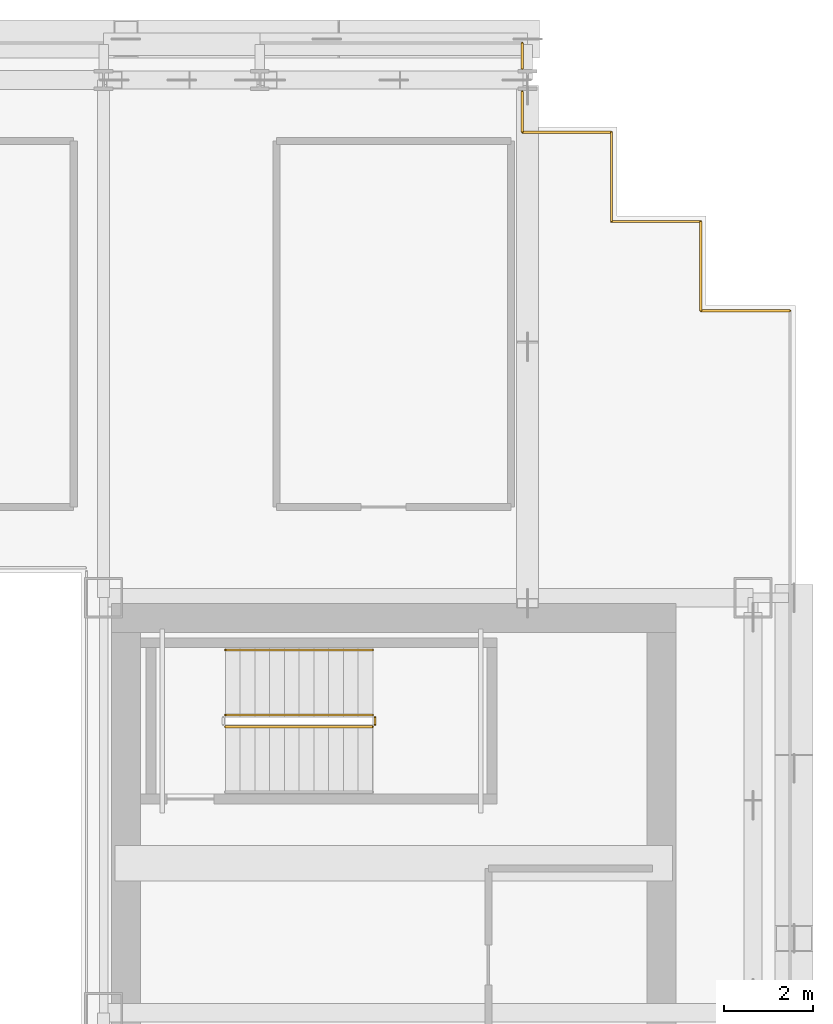
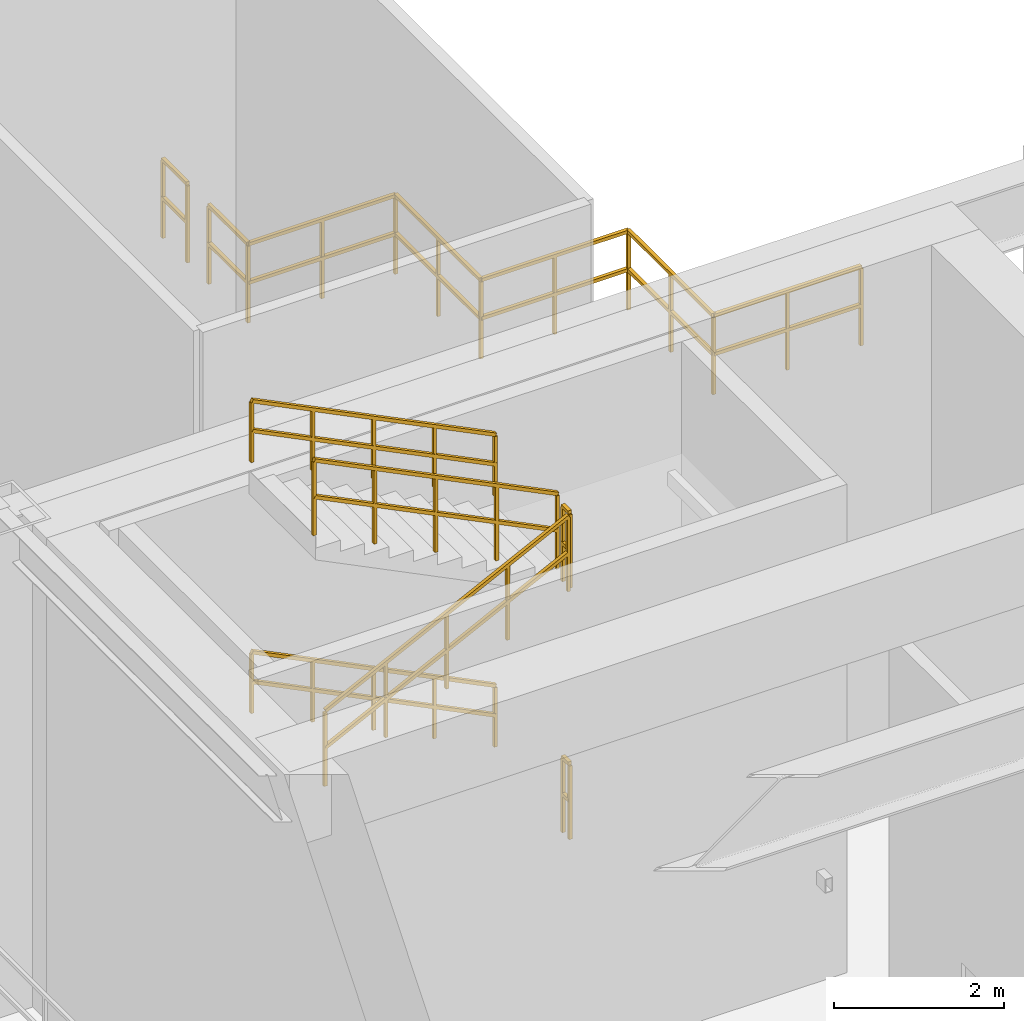
# One storey, part 14 of 14: 13 railings.
"""IFC4 building model written with IfcOpenShell, lengths in metres."""

from ifc_helpers import new_model, si_unit, direction, frame, origin, origin_2d, place, context, subcontext, project, spatial, rectangle, extrude, material, type_object, element, save


model = new_model("IFC4")

# Units and contexts
model_context = context("Model", 3, precision=1e-05, world=origin(), true_north=direction((0.0, 1.0)))
body_context = subcontext(model_context, "Body", "Model", "MODEL_VIEW")
ifc_project = project(units=[si_unit("LENGTHUNIT", "METRE"), si_unit("AREAUNIT", "SQUARE_METRE"), si_unit("VOLUMEUNIT", "CUBIC_METRE"), si_unit("PLANEANGLEUNIT", "RADIAN"), si_unit("MASSUNIT", "GRAM", prefix="KILO")], contexts=[model_context])

# Site, building, storey
site_placement = place(None, origin())
site = spatial("IfcSite", under=ifc_project, at=site_placement, CompositionType="ELEMENT")
building_placement = place(site_placement, origin())
building = spatial("IfcBuilding", under=site, at=building_placement, Name="Ocotamira Hotel", CompositionType="ELEMENT")
storey_placement = place(building_placement, frame((0.0, 0.0, 85.199951171875)))
storey = spatial("IfcBuildingStorey", under=building, at=storey_placement, Name="L21", CompositionType="ELEMENT", Elevation=85.199951171875)

# Railings
ifc_material_1 = material(Name="Brushed stainless steel handrail", Category="steel")
railing_type_1 = type_object("IfcRailingType", Name="RL-HAND-900", PredefinedType="HANDRAIL", material=ifc_material_1)
railing_1_placement = place(storey_placement, frame((46.530029296875, 36.280029296875, 2.12744140625)))
element("IfcRailing", 1, at=railing_1_placement, inside=storey, type_object=railing_type_1, Name="L21 ST-4 stair handrail 2", PredefinedType="HANDRAIL", context=body_context, shape_type="SweptSolid", body=[
    extrude(rectangle(XDim=0.048095703125, YDim=0.048095703125, at=origin_2d()), frame((0.0, 0.0, 0.8759765625), z_axis=(-0.895920123917, 0.0, 0.444215186098), x_axis=(0.0, -1.0, 0.0)), (0.0, 0.0, 1.0), 3.683349609375),
    extrude(rectangle(XDim=0.048095703125, YDim=0.048095703125, at=origin_2d()), frame((0.0, 0.0, 0.449951171875), z_axis=(-0.895920123917, 0.0, 0.444215186098), x_axis=(0.0, -1.0, 0.0)), (0.0, 0.0, 1.0), 3.683349609375),
    extrude(rectangle(XDim=0.0419921875, YDim=0.0419921875, at=origin_2d()), origin(), (0.0, 0.0, 1.0), 0.851806640625),
    extrude(rectangle(XDim=0.0419921875, YDim=0.0419921875, at=origin_2d()), frame((-0.824951171875, 0.0, 0.4091796875)), (0.0, 0.0, 1.0), 0.851806640625),
    extrude(rectangle(XDim=0.0419921875, YDim=0.0419921875, at=origin_2d()), frame((-1.64990234375, 0.0, 0.818115234375)), (0.0, 0.0, 1.0), 0.851806640625),
    extrude(rectangle(XDim=0.0419921875, YDim=0.0419921875, at=origin_2d()), frame((-2.47509765625, 0.0, 1.22705078125)), (0.0, 0.0, 1.0), 0.851806640625),
    extrude(rectangle(XDim=0.0419921875, YDim=0.0419921875, at=origin_2d()), frame((-3.300048828125, 0.0, 1.63623046875)), (0.0, 0.0, 1.0), 0.851806640625),
])
railing_2_placement = place(storey_placement, frame((46.530029296875, 36.280029296875, 5.727294921875)))
element("IfcRailing", 2, at=railing_2_placement, inside=storey, type_object=railing_type_1, Name="L21 ST-4 stair handrail 4", PredefinedType="HANDRAIL", context=body_context, shape_type="SweptSolid", body=[
    extrude(rectangle(XDim=0.048095703125, YDim=0.048095703125, at=origin_2d()), frame((0.0, 0.0, 0.8759765625), z_axis=(-0.895893744519, 0.0, 0.4442683857), x_axis=(0.0, -1.0, 0.0)), (0.0, 0.0, 1.0), 3.68359375),
    extrude(rectangle(XDim=0.048095703125, YDim=0.048095703125, at=origin_2d()), frame((0.0, 0.0, 0.449951171875), z_axis=(-0.895893744519, 0.0, 0.4442683857), x_axis=(0.0, -1.0, 0.0)), (0.0, 0.0, 1.0), 3.68359375),
    extrude(rectangle(XDim=0.0419921875, YDim=0.0419921875, at=origin_2d()), origin(), (0.0, 0.0, 1.0), 0.851806640625),
    extrude(rectangle(XDim=0.0419921875, YDim=0.0419921875, at=origin_2d()), frame((-0.824951171875, 0.0, 0.4091796875)), (0.0, 0.0, 1.0), 0.851806640625),
    extrude(rectangle(XDim=0.0419921875, YDim=0.0419921875, at=origin_2d()), frame((-1.64990234375, 0.0, 0.818359375)), (0.0, 0.0, 1.0), 0.851806640625),
    extrude(rectangle(XDim=0.0419921875, YDim=0.0419921875, at=origin_2d()), frame((-2.47509765625, 0.0, 1.227294921875)), (0.0, 0.0, 1.0), 0.851806640625),
    extrude(rectangle(XDim=0.0419921875, YDim=0.0419921875, at=origin_2d()), frame((-3.300048828125, 0.0, 1.636474609375)), (0.0, 0.0, 1.0), 0.851806640625),
])
ifc_material_2 = material(Name="Pale-metal stainless steel guardrail", Category="steel")
railing_type_2 = type_object("IfcRailingType", Name="RL-PERIM-1150", PredefinedType="GUARDRAIL", material=ifc_material_2)
railing_3_placement = place(storey_placement, frame((49.8798828125, 49.8798828125, 0.0)))
element("IfcRailing", 3, at=railing_3_placement, inside=storey, type_object=railing_type_2, Name="L21 Perimeter Guardrail WSLOT1-17", PredefinedType="GUARDRAIL", context=body_context, shape_type="SweptSolid", body=[
    extrude(rectangle(XDim=0.048095703125, YDim=0.048095703125, at=origin_2d()), frame((0.0, 0.0, 1.1259765625), z_axis=(0.0, -1.0, 0.0), x_axis=(1.0, 0.0, 0.0)), (0.0, 0.0, 1.0), 0.577392578125),
    extrude(rectangle(XDim=0.048095703125, YDim=0.048095703125, at=origin_2d()), frame((0.0, 0.0, 0.574951171875), z_axis=(0.0, -1.0, 0.0), x_axis=(1.0, 0.0, 0.0)), (0.0, 0.0, 1.0), 0.577392578125),
    extrude(rectangle(XDim=0.0419921875, YDim=0.0419921875, at=origin_2d()), origin(), (0.0, 0.0, 1.0), 1.101806640625),
    extrude(rectangle(XDim=0.0419921875, YDim=0.0419921875, at=origin_2d()), frame((0.0, -0.577392578125, 0.0)), (0.0, 0.0, 1.0), 1.101806640625),
])
railing_4_placement = place(storey_placement, frame((49.8798828125, 48.797607421875, 0.0)))
element("IfcRailing", 4, at=railing_4_placement, inside=storey, type_object=railing_type_2, Name="L21 Perimeter Guardrail WSLOT1-18", PredefinedType="GUARDRAIL", context=body_context, shape_type="SweptSolid", body=[
    extrude(rectangle(XDim=0.048095703125, YDim=0.048095703125, at=origin_2d()), frame((0.0, 0.0, 1.1259765625), z_axis=(0.0, -1.0, 0.0), x_axis=(1.0, 0.0, 0.0)), (0.0, 0.0, 1.0), 0.917724609375),
    extrude(rectangle(XDim=0.048095703125, YDim=0.048095703125, at=origin_2d()), frame((0.0, 0.0, 0.574951171875), z_axis=(0.0, -1.0, 0.0), x_axis=(1.0, 0.0, 0.0)), (0.0, 0.0, 1.0), 0.917724609375),
    extrude(rectangle(XDim=0.0419921875, YDim=0.0419921875, at=origin_2d()), origin(), (0.0, 0.0, 1.0), 1.101806640625),
    extrude(rectangle(XDim=0.0419921875, YDim=0.0419921875, at=origin_2d()), frame((0.0, -0.917724609375, 0.0)), (0.0, 0.0, 1.0), 1.101806640625),
])
railing_5_placement = place(storey_placement, frame((49.8798828125, 47.8798828125, 0.0)))
element("IfcRailing", 5, at=railing_5_placement, inside=storey, type_object=railing_type_2, Name="L21 Perimeter Guardrail WSLOT1-19", PredefinedType="GUARDRAIL", context=body_context, shape_type="SweptSolid", body=[
    extrude(rectangle(XDim=0.048095703125, YDim=0.048095703125, at=origin_2d()), frame((0.0, 0.0, 1.1259765625), z_axis=(1.0, 0.0, 0.0), x_axis=(0.0, 1.0, 0.0)), (0.0, 0.0, 1.0), 2.0),
    extrude(rectangle(XDim=0.048095703125, YDim=0.048095703125, at=origin_2d()), frame((0.0, 0.0, 0.574951171875), z_axis=(1.0, 0.0, 0.0), x_axis=(0.0, 1.0, 0.0)), (0.0, 0.0, 1.0), 2.0),
    extrude(rectangle(XDim=0.0419921875, YDim=0.0419921875, at=origin_2d()), origin(), (0.0, 0.0, 1.0), 1.101806640625),
    extrude(rectangle(XDim=0.0419921875, YDim=0.0419921875, at=origin_2d()), frame((1.0, 0.0, 0.0)), (0.0, 0.0, 1.0), 1.101806640625),
    extrude(rectangle(XDim=0.0419921875, YDim=0.0419921875, at=origin_2d()), frame((2.0, 0.0, 0.0)), (0.0, 0.0, 1.0), 1.101806640625),
])
railing_6_placement = place(storey_placement, frame((51.8798828125, 47.8798828125, 0.0)))
element("IfcRailing", 6, at=railing_6_placement, inside=storey, type_object=railing_type_2, Name="L21 Perimeter Guardrail WSLOT1-20", PredefinedType="GUARDRAIL", context=body_context, shape_type="SweptSolid", body=[
    extrude(rectangle(XDim=0.048095703125, YDim=0.048095703125, at=origin_2d()), frame((0.0, 0.0, 1.1259765625), z_axis=(0.0, -1.0, 0.0), x_axis=(1.0, 0.0, 0.0)), (0.0, 0.0, 1.0), 2.0),
    extrude(rectangle(XDim=0.048095703125, YDim=0.048095703125, at=origin_2d()), frame((0.0, 0.0, 0.574951171875), z_axis=(0.0, -1.0, 0.0), x_axis=(1.0, 0.0, 0.0)), (0.0, 0.0, 1.0), 2.0),
    extrude(rectangle(XDim=0.0419921875, YDim=0.0419921875, at=origin_2d()), origin(), (0.0, 0.0, 1.0), 1.101806640625),
    extrude(rectangle(XDim=0.0419921875, YDim=0.0419921875, at=origin_2d()), frame((0.0, -1.0, 0.0)), (0.0, 0.0, 1.0), 1.101806640625),
    extrude(rectangle(XDim=0.0419921875, YDim=0.0419921875, at=origin_2d()), frame((0.0, -2.0, 0.0)), (0.0, 0.0, 1.0), 1.101806640625),
])
railing_7_placement = place(storey_placement, frame((51.8798828125, 45.8798828125, 0.0)))
element("IfcRailing", 7, at=railing_7_placement, inside=storey, type_object=railing_type_2, Name="L21 Perimeter Guardrail WSLOT1-21", PredefinedType="GUARDRAIL", context=body_context, shape_type="SweptSolid", body=[
    extrude(rectangle(XDim=0.048095703125, YDim=0.048095703125, at=origin_2d()), frame((0.0, 0.0, 1.1259765625), z_axis=(1.0, 0.0, 0.0), x_axis=(0.0, 1.0, 0.0)), (0.0, 0.0, 1.0), 2.0),
    extrude(rectangle(XDim=0.048095703125, YDim=0.048095703125, at=origin_2d()), frame((0.0, 0.0, 0.574951171875), z_axis=(1.0, 0.0, 0.0), x_axis=(0.0, 1.0, 0.0)), (0.0, 0.0, 1.0), 2.0),
    extrude(rectangle(XDim=0.0419921875, YDim=0.0419921875, at=origin_2d()), origin(), (0.0, 0.0, 1.0), 1.101806640625),
    extrude(rectangle(XDim=0.0419921875, YDim=0.0419921875, at=origin_2d()), frame((1.0, 0.0, 0.0)), (0.0, 0.0, 1.0), 1.101806640625),
    extrude(rectangle(XDim=0.0419921875, YDim=0.0419921875, at=origin_2d()), frame((2.0, 0.0, 0.0)), (0.0, 0.0, 1.0), 1.101806640625),
])
railing_8_placement = place(storey_placement, frame((53.8798828125, 45.8798828125, 0.0)))
element("IfcRailing", 8, at=railing_8_placement, inside=storey, type_object=railing_type_2, Name="L21 Perimeter Guardrail WSLOT1-22", PredefinedType="GUARDRAIL", context=body_context, shape_type="SweptSolid", body=[
    extrude(rectangle(XDim=0.048095703125, YDim=0.048095703125, at=origin_2d()), frame((0.0, 0.0, 1.1259765625), z_axis=(0.0, -1.0, 0.0), x_axis=(1.0, 0.0, 0.0)), (0.0, 0.0, 1.0), 2.0),
    extrude(rectangle(XDim=0.048095703125, YDim=0.048095703125, at=origin_2d()), frame((0.0, 0.0, 0.574951171875), z_axis=(0.0, -1.0, 0.0), x_axis=(1.0, 0.0, 0.0)), (0.0, 0.0, 1.0), 2.0),
    extrude(rectangle(XDim=0.0419921875, YDim=0.0419921875, at=origin_2d()), origin(), (0.0, 0.0, 1.0), 1.101806640625),
    extrude(rectangle(XDim=0.0419921875, YDim=0.0419921875, at=origin_2d()), frame((0.0, -1.0, 0.0)), (0.0, 0.0, 1.0), 1.101806640625),
    extrude(rectangle(XDim=0.0419921875, YDim=0.0419921875, at=origin_2d()), frame((0.0, -2.0, 0.0)), (0.0, 0.0, 1.0), 1.101806640625),
])
railing_9_placement = place(storey_placement, frame((53.8798828125, 43.8798828125, 0.0)))
element("IfcRailing", 9, at=railing_9_placement, inside=storey, type_object=railing_type_2, Name="L21 Perimeter Guardrail WSLOT1-23", PredefinedType="GUARDRAIL", context=body_context, shape_type="SweptSolid", body=[
    extrude(rectangle(XDim=0.048095703125, YDim=0.048095703125, at=origin_2d()), frame((0.0, 0.0, 1.1259765625), z_axis=(1.0, 0.0, 0.0), x_axis=(0.0, 1.0, 0.0)), (0.0, 0.0, 1.0), 2.0),
    extrude(rectangle(XDim=0.048095703125, YDim=0.048095703125, at=origin_2d()), frame((0.0, 0.0, 0.574951171875), z_axis=(1.0, 0.0, 0.0), x_axis=(0.0, 1.0, 0.0)), (0.0, 0.0, 1.0), 2.0),
    extrude(rectangle(XDim=0.0419921875, YDim=0.0419921875, at=origin_2d()), origin(), (0.0, 0.0, 1.0), 1.101806640625),
    extrude(rectangle(XDim=0.0419921875, YDim=0.0419921875, at=origin_2d()), frame((1.0, 0.0, 0.0)), (0.0, 0.0, 1.0), 1.101806640625),
    extrude(rectangle(XDim=0.0419921875, YDim=0.0419921875, at=origin_2d()), frame((2.0, 0.0, 0.0)), (0.0, 0.0, 1.0), 1.101806640625),
])
ifc_material_3 = material(Name="Painted steel stair guardrail", Category="steel")
railing_type_3 = type_object("IfcRailingType", Name="RL-STAIR-1100", PredefinedType="GUARDRAIL", material=ifc_material_3)
railing_10_placement = place(storey_placement, frame((46.580078125, 34.610107421875, 1.800048828125)))
element("IfcRailing", 10, at=railing_10_placement, inside=storey, type_object=railing_type_3, Name="L21 ST-4 stair guard 2", PredefinedType="GUARDRAIL", context=body_context, shape_type="SweptSolid", body=[
    extrude(rectangle(XDim=0.048095703125, YDim=0.048095703125, at=origin_2d()), frame((0.0, 0.0, 1.076171875), z_axis=(0.0, 1.0, 0.0), x_axis=(-1.0, 0.0, 0.0)), (0.0, 0.0, 1.0), 0.159912109375),
    extrude(rectangle(XDim=0.048095703125, YDim=0.048095703125, at=origin_2d()), frame((0.0, 0.0, 0.550048828125), z_axis=(0.0, 1.0, 0.0), x_axis=(-1.0, 0.0, 0.0)), (0.0, 0.0, 1.0), 0.159912109375),
    extrude(rectangle(XDim=0.0419921875, YDim=0.0419921875, at=origin_2d()), origin(), (0.0, 0.0, 1.0), 1.052001953125),
    extrude(rectangle(XDim=0.0419921875, YDim=0.0419921875, at=origin_2d()), frame((0.0, 0.159912109375, 0.0)), (0.0, 0.0, 1.0), 1.052001953125),
])
railing_11_placement = place(storey_placement, frame((43.22998046875, 34.56005859375, 3.763671875)))
element("IfcRailing", 11, at=railing_11_placement, inside=storey, type_object=railing_type_3, Name="L21 ST-4 stair guard 5", PredefinedType="GUARDRAIL", context=body_context, shape_type="SweptSolid", body=[
    extrude(rectangle(XDim=0.048095703125, YDim=0.048095703125, at=origin_2d()), frame((0.0, 0.0, 1.076171875), z_axis=(0.895893744519, 0.0, 0.4442683857), x_axis=(0.0, 1.0, 0.0)), (0.0, 0.0, 1.0), 3.68359375),
    extrude(rectangle(XDim=0.048095703125, YDim=0.048095703125, at=origin_2d()), frame((0.0, 0.0, 0.550048828125), z_axis=(0.895893744519, 0.0, 0.4442683857), x_axis=(0.0, 1.0, 0.0)), (0.0, 0.0, 1.0), 3.68359375),
    extrude(rectangle(XDim=0.0419921875, YDim=0.0419921875, at=origin_2d()), origin(), (0.0, 0.0, 1.0), 1.052001953125),
    extrude(rectangle(XDim=0.0419921875, YDim=0.0419921875, at=origin_2d()), frame((0.824951171875, 0.0, 0.4091796875)), (0.0, 0.0, 1.0), 1.052001953125),
    extrude(rectangle(XDim=0.0419921875, YDim=0.0419921875, at=origin_2d()), frame((1.64990234375, 0.0, 0.818359375)), (0.0, 0.0, 1.0), 1.052001953125),
    extrude(rectangle(XDim=0.0419921875, YDim=0.0419921875, at=origin_2d()), frame((2.47509765625, 0.0, 1.227294921875)), (0.0, 0.0, 1.0), 1.052001953125),
    extrude(rectangle(XDim=0.0419921875, YDim=0.0419921875, at=origin_2d()), frame((3.300048828125, 0.0, 1.636474609375)), (0.0, 0.0, 1.0), 1.052001953125),
])
railing_12_placement = place(storey_placement, frame((46.580078125, 34.610107421875, 5.400146484375)))
element("IfcRailing", 12, at=railing_12_placement, inside=storey, type_object=railing_type_3, Name="L21 ST-4 stair guard 6", PredefinedType="GUARDRAIL", context=body_context, shape_type="SweptSolid", body=[
    extrude(rectangle(XDim=0.048095703125, YDim=0.048095703125, at=origin_2d()), frame((0.0, 0.0, 1.076171875), z_axis=(0.0, 1.0, 0.0), x_axis=(-1.0, 0.0, 0.0)), (0.0, 0.0, 1.0), 0.159912109375),
    extrude(rectangle(XDim=0.048095703125, YDim=0.048095703125, at=origin_2d()), frame((0.0, 0.0, 0.550048828125), z_axis=(0.0, 1.0, 0.0), x_axis=(-1.0, 0.0, 0.0)), (0.0, 0.0, 1.0), 0.159912109375),
    extrude(rectangle(XDim=0.0419921875, YDim=0.0419921875, at=origin_2d()), origin(), (0.0, 0.0, 1.0), 1.052001953125),
    extrude(rectangle(XDim=0.0419921875, YDim=0.0419921875, at=origin_2d()), frame((0.0, 0.159912109375, 0.0)), (0.0, 0.0, 1.0), 1.052001953125),
])
railing_13_placement = place(storey_placement, frame((46.530029296875, 34.820068359375, 5.563720703125)))
element("IfcRailing", 13, at=railing_13_placement, inside=storey, type_object=railing_type_3, Name="L21 ST-4 stair guard 7", PredefinedType="GUARDRAIL", context=body_context, shape_type="SweptSolid", body=[
    extrude(rectangle(XDim=0.048095703125, YDim=0.048095703125, at=origin_2d()), frame((0.0, 0.0, 1.076171875), z_axis=(-0.895920123917, 0.0, 0.444215186098), x_axis=(0.0, -1.0, 0.0)), (0.0, 0.0, 1.0), 3.683349609375),
    extrude(rectangle(XDim=0.048095703125, YDim=0.048095703125, at=origin_2d()), frame((0.0, 0.0, 0.550048828125), z_axis=(-0.895920123917, 0.0, 0.444215186098), x_axis=(0.0, -1.0, 0.0)), (0.0, 0.0, 1.0), 3.683349609375),
    extrude(rectangle(XDim=0.0419921875, YDim=0.0419921875, at=origin_2d()), origin(), (0.0, 0.0, 1.0), 1.052001953125),
    extrude(rectangle(XDim=0.0419921875, YDim=0.0419921875, at=origin_2d()), frame((-0.824951171875, 0.0, 0.4091796875)), (0.0, 0.0, 1.0), 1.052001953125),
    extrude(rectangle(XDim=0.0419921875, YDim=0.0419921875, at=origin_2d()), frame((-1.64990234375, 0.0, 0.818115234375)), (0.0, 0.0, 1.0), 1.052001953125),
    extrude(rectangle(XDim=0.0419921875, YDim=0.0419921875, at=origin_2d()), frame((-2.47509765625, 0.0, 1.22705078125)), (0.0, 0.0, 1.0), 1.052001953125),
    extrude(rectangle(XDim=0.0419921875, YDim=0.0419921875, at=origin_2d()), frame((-3.300048828125, 0.0, 1.63623046875)), (0.0, 0.0, 1.0), 1.052001953125),
])

save(model, "model.ifc")
